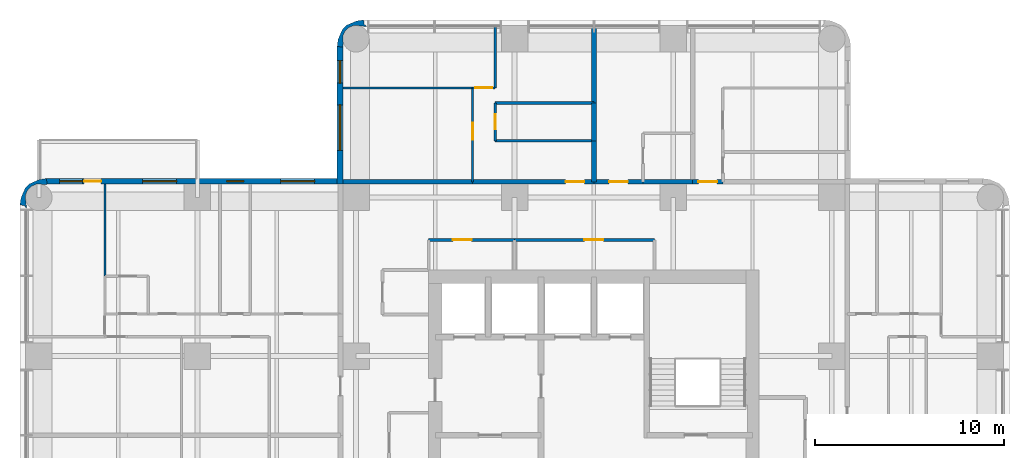
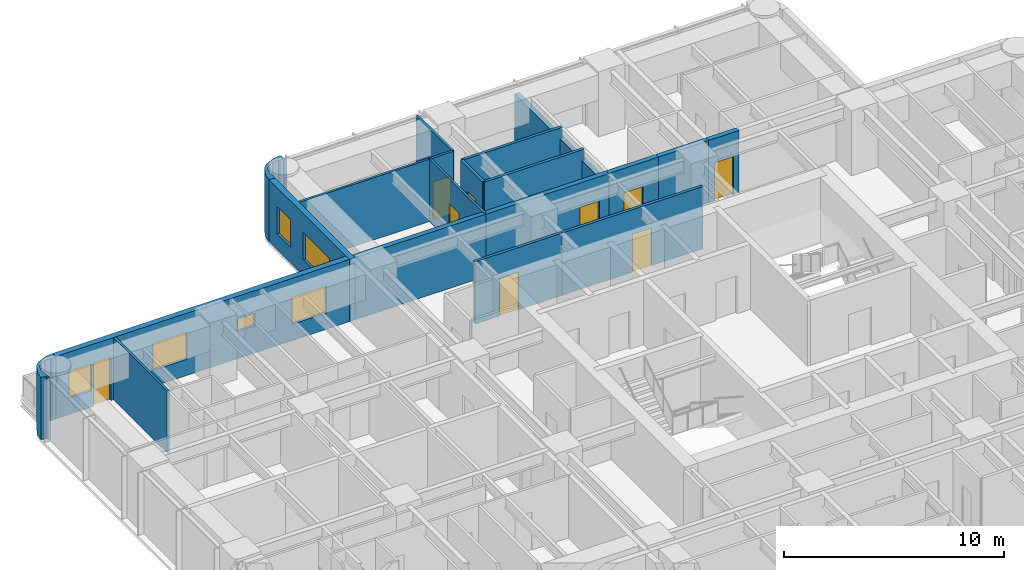
# One storey, part 9 of 11: 22 walls, 9 doors, 6 windows, 15 openings.
"""IFC4 building model written with IfcOpenShell, lengths in metres."""

from ifc_helpers import new_model, si_unit, direction, frame, frame_2d, origin, place, context, subcontext, project, spatial, polyline, rectangle, outline, extrude, material, layer, layer_set, type_object, element, fill, save


model = new_model("IFC4")

# Units and contexts
model_context = context("Model", 3, precision=1e-05, world=origin(), true_north=direction((0.0, 1.0)))
body_context = subcontext(model_context, "Body", "Model", "MODEL_VIEW")
ifc_project = project(units=[si_unit("LENGTHUNIT", "METRE"), si_unit("AREAUNIT", "SQUARE_METRE"), si_unit("VOLUMEUNIT", "CUBIC_METRE"), si_unit("PLANEANGLEUNIT", "RADIAN"), si_unit("MASSUNIT", "GRAM", prefix="KILO")], contexts=[model_context])

# Site, building, storey
site_placement = place(None, origin())
site = spatial("IfcSite", under=ifc_project, at=site_placement, CompositionType="ELEMENT")
building_placement = place(site_placement, origin())
building = spatial("IfcBuilding", under=site, at=building_placement, Name="Torre Alcanfor", CompositionType="ELEMENT")
storey_placement = place(building_placement, frame((0.0, 0.0, 208.5)))
storey = spatial("IfcBuildingStorey", under=building, at=storey_placement, Name="L54", CompositionType="ELEMENT", Elevation=208.5)

# Wall, opening, door
ifc_material_1 = material(Name="Concrete block masonry, hollow blocks NMX-C-404 9 MPa", Category="masonry")
ifc_layer_1 = layer(ifc_material_1, 0.25)
ifc_layer_set_1 = layer_set([ifc_layer_1], Name="Apartment entrance wall 250 EI 60")
wall_type_1 = type_object("IfcWallType", Name="Apartment entrance wall 250 EI 60", PredefinedType="PARTITIONING", material=ifc_layer_set_1)
wall_1_placement = place(storey_placement, frame((22.970947265625, 42.824951171875, 0.0), z_axis=(0.0, 0.0, 1.0), x_axis=(1.0, 0.0, 0.0)))
wall_1 = element("IfcWall", 1, at=wall_1_placement, inside=storey, type_object=wall_type_1, Name="Partition L54-CORR / L54-N1-LIVING", PredefinedType="PARTITIONING", context=body_context, shape_type="SweptSolid", body=[
    extrude(rectangle(XDim=6.428955078125, YDim=0.25, at=frame_2d((3.21435546875, 0.0))), origin(), (0.0, 0.0, 1.0), 3.449951171875),
])
opening_1_placement = place(wall_1_placement, frame((4.928955078125, 0.0, 0.0)))
opening_1 = element("IfcOpeningElement", 2, at=opening_1_placement, cuts=wall_1, Name="Opening D-A1", PredefinedType="OPENING", context=body_context, shape_type="SweptSolid", body=[
    extrude(rectangle(XDim=1.0, YDim=2.10009765625, at=frame_2d((0.5, 1.050048828125))), frame((0.0, 0.135009765625, 0.0), z_axis=(0.0, -1.0, 0.0), x_axis=(1.0, 0.0, 0.0)), (0.0, 0.0, 1.0), 0.27001953125),
])
ifc_material_2 = material(Name="Galvanised steel sheet ASTM A653", Category="steel")
door_type_1 = type_object("IfcDoorType", Name="Apartment entrance door FD60 1000x2100", OperationType="SINGLE_SWING_LEFT", PredefinedType="DOOR", material=ifc_material_2)
door_1_placement = place(opening_1_placement, origin())
door_1 = element("IfcDoor", 3, at=door_1_placement, inside=storey, type_object=door_type_1, Name="Apartment entrance L54-N1", OperationType="SINGLE_SWING_RIGHT", OverallHeight=2.10009765625, OverallWidth=1.0, PredefinedType="DOOR", context=body_context, shape_type="SweptSolid", body=[
    extrude(rectangle(XDim=1.0, YDim=2.10009765625, at=frame_2d((0.5, 1.050048828125))), frame((0.0, 0.02490234375, 0.0), z_axis=(0.0, -1.0, 0.0), x_axis=(1.0, 0.0, 0.0)), (0.0, 0.0, 1.0), 0.050048828125),
])
fill(opening_1, door_1)

# Wall
wall_2_placement = place(storey_placement, frame((16.10009765625, 42.824951171875, 0.0), z_axis=(0.0, 0.0, 1.0), x_axis=(1.0, 0.0, 0.0)))
element("IfcWall", 4, at=wall_2_placement, inside=storey, type_object=wall_type_1, Name="Partition L54-CORR / L54-N1-BED2", PredefinedType="PARTITIONING", context=body_context, shape_type="SweptSolid", body=[
    extrude(rectangle(XDim=6.870849609375, YDim=0.25, at=frame_2d((3.435546875, 0.0))), origin(), (0.0, 0.0, 1.0), 3.449951171875),
])

# Wall, opening, door
wall_3_placement = place(storey_placement, frame((29.39990234375, 42.824951171875, 0.0), z_axis=(0.0, 0.0, 1.0), x_axis=(1.0, 0.0, 0.0)))
wall_3 = element("IfcWall", 5, at=wall_3_placement, inside=storey, type_object=wall_type_1, Name="Partition L54-CORR / L54-N2A-STUDIO", PredefinedType="PARTITIONING", context=body_context, shape_type="SweptSolid", body=[
    extrude(rectangle(XDim=2.60009765625, YDim=0.25, at=frame_2d((1.300048828125, 0.0))), origin(), (0.0, 0.0, 1.0), 3.449951171875),
])
opening_2_placement = place(wall_3_placement, frame((0.800048828125, 0.0, 0.0)))
opening_2 = element("IfcOpeningElement", 6, at=opening_2_placement, cuts=wall_3, Name="Opening D-A1", PredefinedType="OPENING", context=body_context, shape_type="SweptSolid", body=[
    extrude(rectangle(XDim=1.0, YDim=2.10009765625, at=frame_2d((0.5, 1.050048828125))), frame((0.0, 0.135009765625, 0.0), z_axis=(0.0, -1.0, 0.0), x_axis=(1.0, 0.0, 0.0)), (0.0, 0.0, 1.0), 0.27001953125),
])
door_2_placement = place(opening_2_placement, origin())
door_2 = element("IfcDoor", 7, at=door_2_placement, inside=storey, type_object=door_type_1, Name="Apartment entrance L54-N2A", OperationType="SINGLE_SWING_LEFT", OverallHeight=2.10009765625, OverallWidth=1.0, PredefinedType="DOOR", context=body_context, shape_type="SweptSolid", body=[
    extrude(rectangle(XDim=1.0, YDim=2.10009765625, at=frame_2d((0.5, 1.050048828125))), frame((0.0, 0.02490234375, 0.0), z_axis=(0.0, -1.0, 0.0), x_axis=(1.0, 0.0, 0.0)), (0.0, 0.0, 1.0), 0.050048828125),
])
fill(opening_2, door_2)

# Wall
wall_4_placement = place(storey_placement, frame((32.0, 42.824951171875, 0.0), z_axis=(0.0, 0.0, 1.0), x_axis=(1.0, 0.0, 0.0)))
element("IfcWall", 8, at=wall_4_placement, inside=storey, type_object=wall_type_1, Name="Partition L54-CORR / L54-N2A-BATH", PredefinedType="PARTITIONING", context=body_context, shape_type="SweptSolid", body=[
    extrude(rectangle(XDim=2.62890625, YDim=0.25, at=frame_2d((1.314453125, 0.0))), origin(), (0.0, 0.0, 1.0), 3.449951171875),
])

# Wall, opening, door
wall_5_placement = place(storey_placement, frame((34.62890625, 42.824951171875, 0.0), z_axis=(0.0, 0.0, 1.0), x_axis=(1.0, 0.0, 0.0)))
wall_5 = element("IfcWall", 9, at=wall_5_placement, inside=storey, type_object=wall_type_1, Name="Partition L54-CORR / L54-N2B-LIVING", PredefinedType="PARTITIONING", context=body_context, shape_type="SweptSolid", body=[
    extrude(rectangle(XDim=1.60009765625, YDim=0.25, at=frame_2d((0.800048828125, 0.0))), origin(), (0.0, 0.0, 1.0), 3.449951171875),
])
opening_3_placement = place(wall_5_placement, frame((0.300048828125, 0.0, 0.0)))
opening_3 = element("IfcOpeningElement", 10, at=opening_3_placement, cuts=wall_5, Name="Opening D-A1", PredefinedType="OPENING", context=body_context, shape_type="SweptSolid", body=[
    extrude(rectangle(XDim=1.0, YDim=2.10009765625, at=frame_2d((0.5, 1.050048828125))), frame((0.0, 0.135009765625, 0.0), z_axis=(0.0, -1.0, 0.0), x_axis=(1.0, 0.0, 0.0)), (0.0, 0.0, 1.0), 0.27001953125),
])
door_3_placement = place(opening_3_placement, origin())
door_3 = element("IfcDoor", 11, at=door_3_placement, inside=storey, type_object=door_type_1, Name="Apartment entrance L54-N2B", OperationType="SINGLE_SWING_LEFT", OverallHeight=2.10009765625, OverallWidth=1.0, PredefinedType="DOOR", context=body_context, shape_type="SweptSolid", body=[
    extrude(rectangle(XDim=1.0, YDim=2.10009765625, at=frame_2d((0.5, 1.050048828125))), frame((0.0, 0.02490234375, 0.0), z_axis=(0.0, -1.0, 0.0), x_axis=(1.0, 0.0, 0.0)), (0.0, 0.0, 1.0), 0.050048828125),
])
fill(opening_3, door_3)

ifc_material_3 = material(Name="Gypsum board on steel studs", Category="steel")
ifc_layer_2 = layer(ifc_material_3, 0.1201171875)
ifc_layer_set_2 = layer_set([ifc_layer_2], Name="Apartment partition 120")
wall_type_2 = type_object("IfcWallType", Name="Apartment partition 120", PredefinedType="PARTITIONING", material=ifc_layer_set_2)
wall_6_placement = place(storey_placement, frame((22.970947265625, 42.824951171875, 0.0), z_axis=(0.0, 0.0, 1.0), x_axis=(0.0, 1.0, 0.0)))
wall_6 = element("IfcWall", 12, at=wall_6_placement, inside=storey, type_object=wall_type_2, Name="Partition L54-N1-LIVING / L54-N1-BED2", PredefinedType="PARTITIONING", context=body_context, shape_type="SweptSolid", body=[
    extrude(rectangle(XDim=4.97509765625, YDim=0.1201171875, at=frame_2d((2.487548828125, 0.0))), origin(), (0.0, 0.0, 1.0), 3.449951171875),
])
opening_4_placement = place(wall_6_placement, frame((2.22509765625, 0.0, 0.0)))
opening_4 = element("IfcOpeningElement", 13, at=opening_4_placement, cuts=wall_6, Name="Opening D-R1", PredefinedType="OPENING", context=body_context, shape_type="SweptSolid", body=[
    extrude(rectangle(XDim=0.89990234375, YDim=2.10009765625, at=frame_2d((0.449951171875, 1.050048828125))), frame((0.0, 0.070068359375, 0.0), z_axis=(0.0, -1.0, 0.0), x_axis=(1.0, 0.0, 0.0)), (0.0, 0.0, 1.0), 0.14013671875),
])
ifc_material_4 = material(Name="Timber", Category="wood")
door_type_2 = type_object("IfcDoorType", Name="Internal door 900x2100", OperationType="SINGLE_SWING_LEFT", PredefinedType="DOOR", material=ifc_material_4)
door_4_placement = place(opening_4_placement, origin())
door_4 = element("IfcDoor", 14, at=door_4_placement, inside=storey, type_object=door_type_2, Name="Door L54-N1 bed2", OperationType="SINGLE_SWING_RIGHT", OverallHeight=2.10009765625, OverallWidth=0.89990234375, PredefinedType="DOOR", context=body_context, shape_type="SweptSolid", body=[
    extrude(rectangle(XDim=0.89990234375, YDim=2.10009765625, at=frame_2d((0.449951171875, 1.050048828125))), frame((0.0, 0.02490234375, 0.0), z_axis=(0.0, -1.0, 0.0), x_axis=(1.0, 0.0, 0.0)), (0.0, 0.0, 1.0), 0.050048828125),
])
fill(opening_4, door_4)

wall_7_placement = place(storey_placement, frame((22.970947265625, 47.800048828125, 0.0), z_axis=(0.0, 0.0, 1.0), x_axis=(1.0, 0.0, 0.0)))
wall_7 = element("IfcWall", 15, at=wall_7_placement, inside=storey, type_object=wall_type_2, Name="Partition L54-N1-LIVING / L54-N1-MASTER", PredefinedType="PARTITIONING", context=body_context, shape_type="SweptSolid", body=[
    extrude(rectangle(XDim=1.199951171875, YDim=0.1201171875, at=frame_2d((0.60009765625, 0.0))), origin(), (0.0, 0.0, 1.0), 3.449951171875),
])
opening_5_placement = place(wall_7_placement, frame((0.14892578125, 0.0, 0.0)))
opening_5 = element("IfcOpeningElement", 16, at=opening_5_placement, cuts=wall_7, Name="Opening D-R1", PredefinedType="OPENING", context=body_context, shape_type="SweptSolid", body=[
    extrude(rectangle(XDim=0.89990234375, YDim=2.10009765625, at=frame_2d((0.449951171875, 1.050048828125))), frame((0.0, 0.070068359375, 0.0), z_axis=(0.0, -1.0, 0.0), x_axis=(1.0, 0.0, 0.0)), (0.0, 0.0, 1.0), 0.14013671875),
])
door_5_placement = place(opening_5_placement, origin())
door_5 = element("IfcDoor", 17, at=door_5_placement, inside=storey, type_object=door_type_2, Name="Door L54-N1 master", OperationType="SINGLE_SWING_RIGHT", OverallHeight=2.10009765625, OverallWidth=0.89990234375, PredefinedType="DOOR", context=body_context, shape_type="SweptSolid", body=[
    extrude(rectangle(XDim=0.89990234375, YDim=2.10009765625, at=frame_2d((0.449951171875, 1.050048828125))), frame((0.0, 0.02490234375, 0.0), z_axis=(0.0, -1.0, 0.0), x_axis=(1.0, 0.0, 0.0)), (0.0, 0.0, 1.0), 0.050048828125),
])
fill(opening_5, door_5)

# Walls
wall_8_placement = place(storey_placement, frame((24.1708984375, 47.800048828125, 0.0), z_axis=(0.0, 0.0, 1.0), x_axis=(0.0, 1.0, 0.0)))
element("IfcWall", 18, at=wall_8_placement, inside=storey, type_object=wall_type_2, Name="Partition L54-N1-LIVING / L54-N1-MASTER", PredefinedType="PARTITIONING", context=body_context, shape_type="SweptSolid", body=[
    extrude(rectangle(XDim=3.25, YDim=0.1201171875, at=frame_2d((1.625, 0.0))), origin(), (0.0, 0.0, 1.0), 3.449951171875),
])
wall_9_placement = place(storey_placement, frame((22.970947265625, 47.800048828125, 0.0), z_axis=(0.0, 0.0, 1.0), x_axis=(-1.0, 0.0, 0.0)))
element("IfcWall", 19, at=wall_9_placement, inside=storey, type_object=wall_type_2, Name="Partition L54-N1-BED2 / L54-N1-MASTER", PredefinedType="PARTITIONING", context=body_context, shape_type="SweptSolid", body=[
    extrude(rectangle(XDim=6.870849609375, YDim=0.1201171875, at=frame_2d((3.435546875, 0.0))), origin(), (0.0, 0.0, 1.0), 3.449951171875),
])
wall_10_placement = place(storey_placement, frame((3.5, 37.8291015625, 0.0), z_axis=(0.0, 0.0, 1.0), x_axis=(0.0, 1.0, 0.0)))
element("IfcWall", 20, at=wall_10_placement, inside=storey, type_object=wall_type_2, Name="Partition L54-W2-MASTER / L54-W2-WGARD", PredefinedType="PARTITIONING", context=body_context, shape_type="SweptSolid", body=[
    extrude(rectangle(XDim=4.870849609375, YDim=0.1201171875, at=frame_2d((2.435546875, 0.0))), origin(), (0.0, 0.0, 1.0), 3.449951171875),
])

# Wall, openings, door, windows
ifc_material_5 = material(Name="Limestone cladding", Category="masonry")
ifc_layer_3 = layer(ifc_material_5, 0.0400390625, Name="Facing")
ifc_material_6 = material(Name="Ventilated air cavity")
ifc_layer_4 = layer(ifc_material_6, 0.02001953125, ventilated=True, Name="Ventilated joint")
ifc_material_7 = material(Name="Mineral wool insulation", Category="insulation")
ifc_layer_5 = layer(ifc_material_7, 0.10009765625, Name="Insulation")
ifc_material_8 = material(Name="Concrete f'c 35 MPa", Category="concrete")
ifc_layer_6 = layer(ifc_material_8, 0.139892578125, Name="Backing")
ifc_layer_set_3 = layer_set([ifc_layer_3, ifc_layer_4, ifc_layer_5, ifc_layer_6], Name="External wall stone-clad 300")
wall_type_3 = type_object("IfcWallType", Name="External wall stone-clad 300", PredefinedType="SOLIDWALL", material=ifc_layer_set_3)
wall_11_placement = place(storey_placement, frame((15.800048828125, 42.85009765625, 0.0), z_axis=(0.0, 0.0, 1.0), x_axis=(-1.0, 0.0, 0.0)))
wall_11 = element("IfcWall", 21, at=wall_11_placement, inside=storey, type_object=wall_type_3, Name="External wall L54 1", PredefinedType="SOLIDWALL", context=body_context, shape_type="SweptSolid", body=[
    extrude(rectangle(XDim=15.400146484375, YDim=0.300048828125, at=frame_2d((7.7001953125, 0.0))), origin(), (0.0, 0.0, 1.0), 3.449951171875),
])
opening_6_placement = place(wall_11_placement, frame((1.199951171875, 0.0, 0.89990234375)))
opening_6 = element("IfcOpeningElement", 22, at=opening_6_placement, cuts=wall_11, Name="Opening W2", PredefinedType="OPENING", context=body_context, shape_type="SweptSolid", body=[
    extrude(rectangle(XDim=1.800048828125, YDim=1.5, at=frame_2d((0.89990234375, 0.75))), frame((0.0, 0.159912109375, 0.0), z_axis=(0.0, -1.0, 0.0), x_axis=(1.0, 0.0, 0.0)), (0.0, 0.0, 1.0), 0.320068359375),
])
opening_7_placement = place(wall_11_placement, frame((4.949951171875, 0.0, 1.5)))
opening_7 = element("IfcOpeningElement", 23, at=opening_7_placement, cuts=wall_11, Name="Opening W3", PredefinedType="OPENING", context=body_context, shape_type="SweptSolid", body=[
    extrude(rectangle(XDim=0.89990234375, YDim=0.699951171875, at=frame_2d((0.449951171875, 0.35009765625))), frame((0.0, 0.159912109375, 0.0), z_axis=(0.0, -1.0, 0.0), x_axis=(1.0, 0.0, 0.0)), (0.0, 0.0, 1.0), 0.320068359375),
])
opening_8_placement = place(wall_11_placement, frame((8.5, 0.0, 0.89990234375)))
opening_8 = element("IfcOpeningElement", 24, at=opening_8_placement, cuts=wall_11, Name="Opening W2", PredefinedType="OPENING", context=body_context, shape_type="SweptSolid", body=[
    extrude(rectangle(XDim=1.800048828125, YDim=1.5, at=frame_2d((0.89990234375, 0.75))), frame((0.0, 0.159912109375, 0.0), z_axis=(0.0, -1.0, 0.0), x_axis=(1.0, 0.0, 0.0)), (0.0, 0.0, 1.0), 0.320068359375),
])
opening_9_placement = place(wall_11_placement, frame((12.5, 0.0, 0.0)))
opening_9 = element("IfcOpeningElement", 25, at=opening_9_placement, cuts=wall_11, Name="Opening D-B1", PredefinedType="OPENING", context=body_context, shape_type="SweptSolid", body=[
    extrude(rectangle(XDim=0.89990234375, YDim=2.39990234375, at=frame_2d((0.449951171875, 1.199951171875))), frame((0.0, 0.159912109375, 0.0), z_axis=(0.0, -1.0, 0.0), x_axis=(1.0, 0.0, 0.0)), (0.0, 0.0, 1.0), 0.320068359375),
])
opening_10_placement = place(wall_11_placement, frame((13.5, 0.0, 0.89990234375)))
opening_10 = element("IfcOpeningElement", 26, at=opening_10_placement, cuts=wall_11, Name="Opening W4", PredefinedType="OPENING", context=body_context, shape_type="SweptSolid", body=[
    extrude(rectangle(XDim=1.199951171875, YDim=1.5, at=frame_2d((0.60009765625, 0.75))), frame((0.0, 0.159912109375, 0.0), z_axis=(0.0, -1.0, 0.0), x_axis=(1.0, 0.0, 0.0)), (0.0, 0.0, 1.0), 0.320068359375),
])
ifc_material_9 = material(Name="Aluminium and glass", Category="aluminium")
door_type_3 = type_object("IfcDoorType", Name="Balcony door glazed 900x2400", OperationType="SINGLE_SWING_LEFT", PredefinedType="DOOR", material=ifc_material_9)
door_6_placement = place(opening_9_placement, origin())
door_6 = element("IfcDoor", 27, at=door_6_placement, inside=storey, type_object=door_type_3, Name="Balcony door L54-W2", OperationType="SINGLE_SWING_LEFT", OverallHeight=2.39990234375, OverallWidth=0.89990234375, PredefinedType="DOOR", context=body_context, shape_type="SweptSolid", body=[
    extrude(rectangle(XDim=0.89990234375, YDim=2.39990234375, at=frame_2d((0.449951171875, 1.199951171875))), frame((0.0, 0.02490234375, 0.0), z_axis=(0.0, -1.0, 0.0), x_axis=(1.0, 0.0, 0.0)), (0.0, 0.0, 1.0), 0.050048828125),
])
fill(opening_9, door_6)
ifc_material_10 = material(Name="Aluminium frame with clear double glazing", Category="aluminium")
window_type_1 = type_object("IfcWindowType", Name="Window bathroom 900x700", PartitioningType="SINGLE_PANEL", PredefinedType="WINDOW", material=ifc_material_10)
window_1_placement = place(opening_7_placement, origin())
window_1 = element("IfcWindow", 28, at=window_1_placement, inside=storey, type_object=window_type_1, Name="Window W3 L54-W2", OverallHeight=0.699951171875, OverallWidth=0.89990234375, PartitioningType="SINGLE_PANEL", PredefinedType="WINDOW", context=body_context, shape_type="SweptSolid", body=[
    extrude(rectangle(XDim=0.89990234375, YDim=0.699951171875, at=frame_2d((0.449951171875, 0.35009765625))), frame((0.0, 0.030029296875, 0.0), z_axis=(0.0, -1.0, 0.0), x_axis=(1.0, 0.0, 0.0)), (0.0, 0.0, 1.0), 0.06005859375),
])
fill(opening_7, window_1)
ifc_material_11 = material(Name="Aluminium frame with clear double glazing", Category="aluminium")
window_type_2 = type_object("IfcWindowType", Name="Window bedroom 1200x1500", PartitioningType="SINGLE_PANEL", PredefinedType="WINDOW", material=ifc_material_11)
window_2_placement = place(opening_10_placement, origin())
window_2 = element("IfcWindow", 29, at=window_2_placement, inside=storey, type_object=window_type_2, Name="Window W4 L54-W2", OverallHeight=1.5, OverallWidth=1.199951171875, PartitioningType="SINGLE_PANEL", PredefinedType="WINDOW", context=body_context, shape_type="SweptSolid", body=[
    extrude(rectangle(XDim=1.199951171875, YDim=1.5, at=frame_2d((0.60009765625, 0.75))), frame((0.0, 0.030029296875, 0.0), z_axis=(0.0, -1.0, 0.0), x_axis=(1.0, 0.0, 0.0)), (0.0, 0.0, 1.0), 0.06005859375),
])
fill(opening_10, window_2)
ifc_material_12 = material(Name="Aluminium frame with clear double glazing", Category="aluminium")
window_type_3 = type_object("IfcWindowType", Name="Window bedroom 1800x1500", PartitioningType="SINGLE_PANEL", PredefinedType="WINDOW", material=ifc_material_12)
window_3_placement = place(opening_6_placement, origin())
window_3 = element("IfcWindow", 30, at=window_3_placement, inside=storey, type_object=window_type_3, Name="Window W2 L54-W2", OverallHeight=1.5, OverallWidth=1.800048828125, PartitioningType="SINGLE_PANEL", PredefinedType="WINDOW", context=body_context, shape_type="SweptSolid", body=[
    extrude(rectangle(XDim=1.800048828125, YDim=1.5, at=frame_2d((0.89990234375, 0.75))), frame((0.0, 0.030029296875, 0.0), z_axis=(0.0, -1.0, 0.0), x_axis=(1.0, 0.0, 0.0)), (0.0, 0.0, 1.0), 0.06005859375),
])
fill(opening_6, window_3)
window_4_placement = place(opening_8_placement, origin())
window_4 = element("IfcWindow", 31, at=window_4_placement, inside=storey, type_object=window_type_3, Name="Window W2 L54-W2", OverallHeight=1.5, OverallWidth=1.800048828125, PartitioningType="SINGLE_PANEL", PredefinedType="WINDOW", context=body_context, shape_type="SweptSolid", body=[
    extrude(rectangle(XDim=1.800048828125, YDim=1.5, at=frame_2d((0.89990234375, 0.75))), frame((0.0, 0.030029296875, 0.0), z_axis=(0.0, -1.0, 0.0), x_axis=(1.0, 0.0, 0.0)), (0.0, 0.0, 1.0), 0.06005859375),
])
fill(opening_8, window_4)

# Wall, openings, windows
wall_12_placement = place(storey_placement, frame((15.949951171875, 50.0, 0.0), z_axis=(0.0, 0.0, 1.0), x_axis=(0.0, -1.0, 0.0)))
wall_12 = element("IfcWall", 32, at=wall_12_placement, inside=storey, type_object=wall_type_3, Name="External wall L54 12", PredefinedType="SOLIDWALL", context=body_context, shape_type="SweptSolid", body=[
    extrude(rectangle(XDim=7.300048828125, YDim=0.300048828125, at=frame_2d((3.64990234375, 0.0))), origin(), (0.0, 0.0, 1.0), 3.449951171875),
])
opening_11_placement = place(wall_12_placement, frame((3.10009765625, 0.0, 0.89990234375)))
opening_11 = element("IfcOpeningElement", 33, at=opening_11_placement, cuts=wall_12, Name="Opening W1", PredefinedType="OPENING", context=body_context, shape_type="SweptSolid", body=[
    extrude(rectangle(XDim=2.39990234375, YDim=1.5, at=frame_2d((1.199951171875, 0.75))), frame((0.0, 0.159912109375, 0.0), z_axis=(0.0, -1.0, 0.0), x_axis=(1.0, 0.0, 0.0)), (0.0, 0.0, 1.0), 0.320068359375),
])
opening_12_placement = place(wall_12_placement, frame((0.75, 0.0, 0.89990234375)))
opening_12 = element("IfcOpeningElement", 34, at=opening_12_placement, cuts=wall_12, Name="Opening W4", PredefinedType="OPENING", context=body_context, shape_type="SweptSolid", body=[
    extrude(rectangle(XDim=1.199951171875, YDim=1.5, at=frame_2d((0.60009765625, 0.75))), frame((0.0, 0.159912109375, 0.0), z_axis=(0.0, -1.0, 0.0), x_axis=(1.0, 0.0, 0.0)), (0.0, 0.0, 1.0), 0.320068359375),
])
window_5_placement = place(opening_12_placement, origin())
window_5 = element("IfcWindow", 35, at=window_5_placement, inside=storey, type_object=window_type_2, Name="Window W4 L54-N1", OverallHeight=1.5, OverallWidth=1.199951171875, PartitioningType="SINGLE_PANEL", PredefinedType="WINDOW", context=body_context, shape_type="SweptSolid", body=[
    extrude(rectangle(XDim=1.199951171875, YDim=1.5, at=frame_2d((0.60009765625, 0.75))), frame((0.0, 0.030029296875, 0.0), z_axis=(0.0, -1.0, 0.0), x_axis=(1.0, 0.0, 0.0)), (0.0, 0.0, 1.0), 0.06005859375),
])
fill(opening_12, window_5)
ifc_material_13 = material(Name="Aluminium frame with clear double glazing", Category="aluminium")
window_type_4 = type_object("IfcWindowType", Name="Window bedroom 2400x1500", PartitioningType="SINGLE_PANEL", PredefinedType="WINDOW", material=ifc_material_13)
window_6_placement = place(opening_11_placement, origin())
window_6 = element("IfcWindow", 36, at=window_6_placement, inside=storey, type_object=window_type_4, Name="Window W1 L54-N1", OverallHeight=1.5, OverallWidth=2.39990234375, PartitioningType="SINGLE_PANEL", PredefinedType="WINDOW", context=body_context, shape_type="SweptSolid", body=[
    extrude(rectangle(XDim=2.39990234375, YDim=1.5, at=frame_2d((1.199951171875, 0.75))), frame((0.0, 0.030029296875, 0.0), z_axis=(0.0, -1.0, 0.0), x_axis=(1.0, 0.0, 0.0)), (0.0, 0.0, 1.0), 0.06005859375),
])
fill(opening_11, window_6)

# Walls
ifc_material_14 = material(Name="Concrete block masonry, hollow blocks NMX-C-404 9 MPa", Category="masonry")
ifc_layer_7 = layer(ifc_material_14, 0.25)
ifc_layer_set_4 = layer_set([ifc_layer_7], Name="Party wall 250 EI 60")
wall_type_4 = type_object("IfcWallType", Name="Party wall 250 EI 60", PredefinedType="PARTITIONING", material=ifc_layer_set_4)
wall_13_placement = place(storey_placement, frame((29.39990234375, 45.0, 0.0), z_axis=(0.0, 0.0, 1.0), x_axis=(0.0, 1.0, 0.0)))
element("IfcWall", 37, at=wall_13_placement, inside=storey, type_object=wall_type_4, Name="Partition L54-N1-BATH / L54-N2A-STUDIO", PredefinedType="PARTITIONING", context=body_context, shape_type="SweptSolid", body=[
    extrude(rectangle(XDim=2.0, YDim=0.25, at=frame_2d((1.0, 0.0))), origin(), (0.0, 0.0, 1.0), 2.847900390625),
])
wall_14_placement = place(storey_placement, frame((29.39990234375, 45.0, 0.0), z_axis=(0.0, 0.0, 1.0), x_axis=(0.0, -1.0, 0.0)))
element("IfcWall", 38, at=wall_14_placement, inside=storey, type_object=wall_type_4, Name="Partition L54-N1-LIVING / L54-N2A-STUDIO", PredefinedType="PARTITIONING", context=body_context, shape_type="SweptSolid", body=[
    extrude(rectangle(XDim=2.175048828125, YDim=0.25, at=frame_2d((1.08740234375, 0.0))), origin(), (0.0, 0.0, 1.0), 2.847900390625),
])
wall_15_placement = place(storey_placement, frame((29.39990234375, 51.050048828125, 0.0), z_axis=(0.0, 0.0, 1.0), x_axis=(0.0, -1.0, 0.0)))
element("IfcWall", 39, at=wall_15_placement, inside=storey, type_object=wall_type_4, Name="Partition L54-N1-LIVING / L54-N2A-STUDIO", PredefinedType="PARTITIONING", context=body_context, shape_type="SweptSolid", body=[
    extrude(rectangle(XDim=4.050048828125, YDim=0.25, at=frame_2d((2.02490234375, 0.0))), origin(), (0.0, 0.0, 1.0), 2.847900390625),
])

# Wall, opening, door
ifc_material_15 = material(Name="Concrete block masonry, hollow blocks NMX-C-404 9 MPa", Category="masonry")
ifc_layer_8 = layer(ifc_material_15, 0.14990234375)
ifc_layer_set_5 = layer_set([ifc_layer_8], Name="Residents' room partition 150")
wall_type_5 = type_object("IfcWallType", Name="Residents' room partition 150", PredefinedType="PARTITIONING", material=ifc_layer_set_5)
wall_16_placement = place(storey_placement, frame((25.199951171875, 39.75, 0.0), z_axis=(0.0, 0.0, 1.0), x_axis=(-1.0, 0.0, 0.0)))
wall_16 = element("IfcWall", 40, at=wall_16_placement, inside=storey, type_object=wall_type_5, Name="Partition L54-CORR / L54-G01", PredefinedType="PARTITIONING", context=body_context, shape_type="SweptSolid", body=[
    extrude(rectangle(XDim=4.550048828125, YDim=0.14990234375, at=frame_2d((2.27490234375, 0.0))), origin(), (0.0, 0.0, 1.0), 3.449951171875),
])
opening_13_placement = place(wall_16_placement, frame((2.27490234375, 0.0, 0.0)))
opening_13 = element("IfcOpeningElement", 41, at=opening_13_placement, cuts=wall_16, Name="Opening D-M1", PredefinedType="OPENING", context=body_context, shape_type="SweptSolid", body=[
    extrude(rectangle(XDim=1.0, YDim=2.10009765625, at=frame_2d((0.5, 1.050048828125))), frame((0.0, 0.0849609375, 0.0), z_axis=(0.0, -1.0, 0.0), x_axis=(1.0, 0.0, 0.0)), (0.0, 0.0, 1.0), 0.169921875),
])
ifc_material_16 = material(Name="Timber", Category="wood")
door_type_4 = type_object("IfcDoorType", Name="Residents' room door 1000x2100", OperationType="SINGLE_SWING_LEFT", PredefinedType="DOOR", material=ifc_material_16)
door_7_placement = place(opening_13_placement, origin())
door_7 = element("IfcDoor", 42, at=door_7_placement, inside=storey, type_object=door_type_4, Name="Door L54-G01 residents' lockers", OperationType="SINGLE_SWING_RIGHT", OverallHeight=2.10009765625, OverallWidth=1.0, PredefinedType="DOOR", context=body_context, shape_type="SweptSolid", body=[
    extrude(rectangle(XDim=1.0, YDim=2.10009765625, at=frame_2d((0.5, 1.050048828125))), frame((0.0, 0.02490234375, 0.0), z_axis=(0.0, -1.0, 0.0), x_axis=(1.0, 0.0, 0.0)), (0.0, 0.0, 1.0), 0.050048828125),
])
fill(opening_13, door_7)

wall_17_placement = place(storey_placement, frame((32.60009765625, 39.75, 0.0), z_axis=(0.0, 0.0, 1.0), x_axis=(-1.0, 0.0, 0.0)))
wall_17 = element("IfcWall", 43, at=wall_17_placement, inside=storey, type_object=wall_type_5, Name="Partition L54-CORR / L54-G02", PredefinedType="PARTITIONING", context=body_context, shape_type="SweptSolid", body=[
    extrude(rectangle(XDim=7.400146484375, YDim=0.14990234375, at=frame_2d((3.7001953125, 0.0))), origin(), (0.0, 0.0, 1.0), 3.449951171875),
])
opening_14_placement = place(wall_17_placement, frame((2.699951171875, 0.0, 0.0)))
opening_14 = element("IfcOpeningElement", 44, at=opening_14_placement, cuts=wall_17, Name="Opening D-M1", PredefinedType="OPENING", context=body_context, shape_type="SweptSolid", body=[
    extrude(rectangle(XDim=1.0, YDim=2.10009765625, at=frame_2d((0.5, 1.050048828125))), frame((0.0, 0.0849609375, 0.0), z_axis=(0.0, -1.0, 0.0), x_axis=(1.0, 0.0, 0.0)), (0.0, 0.0, 1.0), 0.169921875),
])
door_8_placement = place(opening_14_placement, origin())
door_8 = element("IfcDoor", 45, at=door_8_placement, inside=storey, type_object=door_type_4, Name="Door L54-G02 residents' lockers", OperationType="SINGLE_SWING_LEFT", OverallHeight=2.10009765625, OverallWidth=1.0, PredefinedType="DOOR", context=body_context, shape_type="SweptSolid", body=[
    extrude(rectangle(XDim=1.0, YDim=2.10009765625, at=frame_2d((0.5, 1.050048828125))), frame((0.0, 0.02490234375, 0.0), z_axis=(0.0, -1.0, 0.0), x_axis=(1.0, 0.0, 0.0)), (0.0, 0.0, 1.0), 0.050048828125),
])
fill(opening_14, door_8)

# Walls
ifc_layer_9 = layer(ifc_material_5, 0.0400390625, Name="Facing")
ifc_layer_10 = layer(ifc_material_6, 0.02001953125, ventilated=True, Name="Ventilated joint")
ifc_layer_11 = layer(ifc_material_7, 0.10009765625, Name="Insulation")
ifc_layer_12 = layer(ifc_material_8, 0.139892578125, Name="Backing")
ifc_layer_set_6 = layer_set([ifc_layer_9, ifc_layer_10, ifc_layer_11, ifc_layer_12], Name="Rounded corner pier stone-clad 300")
wall_type_6 = type_object("IfcWallType", Name="Rounded corner pier stone-clad 300", PredefinedType="SOLIDWALL", material=ifc_layer_set_6)
wall_18_placement = place(storey_placement, frame((0.289684728, 42.724211819, 0.0), z_axis=(0.0, 0.0, 1.0), x_axis=(-0.898030234854, 0.439933741929, 0.0)))
element("IfcWall", 46, at=wall_18_placement, inside=storey, type_object=wall_type_6, Name="Corner pier L54 13", PredefinedType="SOLIDWALL", context=body_context, shape_type="SweptSolid", body=[
    extrude(outline(polyline([(-0.1451696260029872, -0.04410137667948781), (0.022349775089968618, -0.29615457307685267), (0.3267662274453961, -0.09401161193946184), (0.5684395137438579, 0.1801582341686725), (0.5775438768187978, 0.19875519044837203), (0.6998681881563861, 0.337520421761322), (0.8105897526086489, 0.6609052696654318), (0.798987005723323, 0.8455248862565916), (0.8031915983754734, 0.8657994419976891), (0.7802772818432999, 1.230559659021311), (0.6636401292003462, 1.5768643338748296), (0.426274926498842, 1.4970116570996908), (0.3818262033461368, 1.5361339555879763), (0.27609856791259557, 1.5721508582913652), (0.34924184873618547, 1.4228445619203098), (0.3919947529834039, 1.4437886731693554), (0.4531844604451624, 1.2611683721887113), (0.5096660727895201, 1.2113572307370708), (0.632323380719828, 0.9609786838123349), (0.6499334439144826, 0.6825189735513317), (0.5596785928912745, 0.41891132480525434), (0.37509146330548054, 0.2096805523179385), (0.12471291638074464, 0.0870232443876307), (0.04955403003282338, 0.08228360846554762), (-0.12741072731568104, -0.035401515083730434), (-0.1451696260029872, -0.04410137667948781)])), origin(), (0.0, 0.0, 1.0), 3.449951171875),
])
wall_19_placement = place(storey_placement, frame((17.312325495, 50.98815184, 0.0), z_axis=(0.0, 0.0, 1.0), x_axis=(-0.439933741929, 0.898030234854, 0.0)))
element("IfcWall", 47, at=wall_19_placement, inside=storey, type_object=wall_type_6, Name="Corner pier L54 20", PredefinedType="SOLIDWALL", context=body_context, shape_type="SweptSolid", body=[
    extrude(outline(polyline([(0.1377143835604198, -0.039385181817258766), (0.1818364553516057, -0.0003747232930663008), (0.4192016580531099, -0.08022740006820503), (0.5358388106960636, 0.26607727478531357), (0.5587531272282371, 0.6308374918089354), (0.5545485345760868, 0.6511120475500328), (0.5663705271242188, 0.8356242584424797), (0.45553712270786306, 1.1593357577081085), (0.33310540567156155, 1.2978817433582523), (0.3240010425966217, 1.316478699637952), (0.08232775629815992, 1.5906485457460864), (-0.22208869605726766, 1.7927915068834772), (-0.3896080971502234, 1.5407383104861123), (-0.3718491984629172, 1.532038448890355), (-0.1945577897528935, 1.41446516530517), (-0.1197255547664915, 1.4096136894189937), (0.13065299215824444, 1.286956381488686), (0.3152401217440383, 1.07772560900137), (0.4057142184300525, 0.8140105545565798), (0.3881041552353981, 0.5355508442955765), (0.26544684730509027, 0.28517229737084054), (0.20907264065944553, 0.23558040158200633), (0.14755628183616776, 0.052848260637269044), (0.10502262325175554, 0.07368496618760154), (0.031879342428165675, -0.0756213301834538), (0.1377143835604198, -0.039385181817258766)])), origin(), (0.0, 0.0, 1.0), 3.449951171875),
])
ifc_material_17 = material(Name="Cement board on steel studs", Category="steel")
ifc_layer_13 = layer(ifc_material_17, 0.14990234375)
ifc_layer_set_7 = layer_set([ifc_layer_13], Name="Wet area partition 150")
wall_type_7 = type_object("IfcWallType", Name="Wet area partition 150", PredefinedType="PARTITIONING", material=ifc_layer_set_7)
wall_20_placement = place(storey_placement, frame((29.39990234375, 47.0, 0.0), z_axis=(0.0, 0.0, 1.0), x_axis=(-1.0, 0.0, 0.0)))
element("IfcWall", 48, at=wall_20_placement, inside=storey, type_object=wall_type_7, Name="Partition L54-N1-BATH / L54-N1-LIVING", PredefinedType="PARTITIONING", context=body_context, shape_type="SweptSolid", body=[
    extrude(rectangle(XDim=5.22900390625, YDim=0.14990234375, at=frame_2d((2.614501953125, 0.0))), origin(), (0.0, 0.0, 1.0), 3.449951171875),
])

# Wall, opening, door
wall_21_placement = place(storey_placement, frame((24.1708984375, 47.0, 0.0), z_axis=(0.0, 0.0, 1.0), x_axis=(0.0, -1.0, 0.0)))
wall_21 = element("IfcWall", 49, at=wall_21_placement, inside=storey, type_object=wall_type_7, Name="Partition L54-N1-BATH / L54-N1-LIVING", PredefinedType="PARTITIONING", context=body_context, shape_type="SweptSolid", body=[
    extrude(rectangle(XDim=2.0, YDim=0.14990234375, at=frame_2d((1.0, 0.0))), origin(), (0.0, 0.0, 1.0), 3.449951171875),
])
opening_15_placement = place(wall_21_placement, frame((0.60009765625, 0.0, 0.0)))
opening_15 = element("IfcOpeningElement", 50, at=opening_15_placement, cuts=wall_21, Name="Opening D-R2", PredefinedType="OPENING", context=body_context, shape_type="SweptSolid", body=[
    extrude(rectangle(XDim=0.800048828125, YDim=2.10009765625, at=frame_2d((0.39990234375, 1.050048828125))), frame((0.0, 0.0849609375, 0.0), z_axis=(0.0, -1.0, 0.0), x_axis=(1.0, 0.0, 0.0)), (0.0, 0.0, 1.0), 0.169921875),
])
ifc_material_18 = material(Name="Timber", Category="wood")
door_type_5 = type_object("IfcDoorType", Name="Bathroom door 800x2100", OperationType="SINGLE_SWING_LEFT", PredefinedType="DOOR", material=ifc_material_18)
door_9_placement = place(opening_15_placement, origin())
door_9 = element("IfcDoor", 51, at=door_9_placement, inside=storey, type_object=door_type_5, Name="Door L54-N1 bath", OperationType="SINGLE_SWING_LEFT", OverallHeight=2.10009765625, OverallWidth=0.800048828125, PredefinedType="DOOR", context=body_context, shape_type="SweptSolid", body=[
    extrude(rectangle(XDim=0.800048828125, YDim=2.10009765625, at=frame_2d((0.39990234375, 1.050048828125))), frame((0.0, 0.02490234375, 0.0), z_axis=(0.0, -1.0, 0.0), x_axis=(1.0, 0.0, 0.0)), (0.0, 0.0, 1.0), 0.050048828125),
])
fill(opening_15, door_9)

# Wall
wall_22_placement = place(storey_placement, frame((24.1708984375, 45.0, 0.0), z_axis=(0.0, 0.0, 1.0), x_axis=(1.0, 0.0, 0.0)))
element("IfcWall", 52, at=wall_22_placement, inside=storey, type_object=wall_type_7, Name="Partition L54-N1-BATH / L54-N1-LIVING", PredefinedType="PARTITIONING", context=body_context, shape_type="SweptSolid", body=[
    extrude(rectangle(XDim=5.22900390625, YDim=0.14990234375, at=frame_2d((2.614501953125, 0.0))), origin(), (0.0, 0.0, 1.0), 3.449951171875),
])

save(model, "model.ifc")
